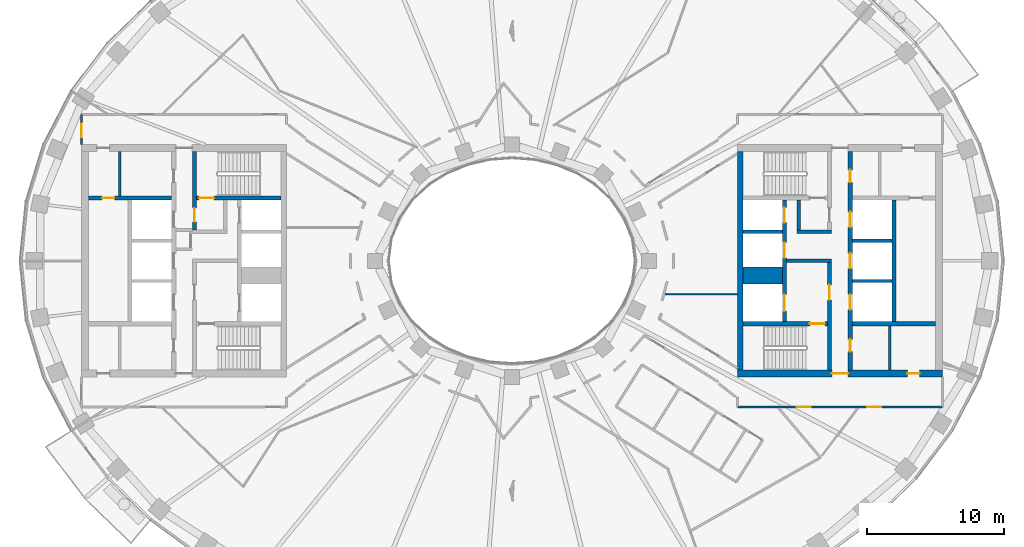
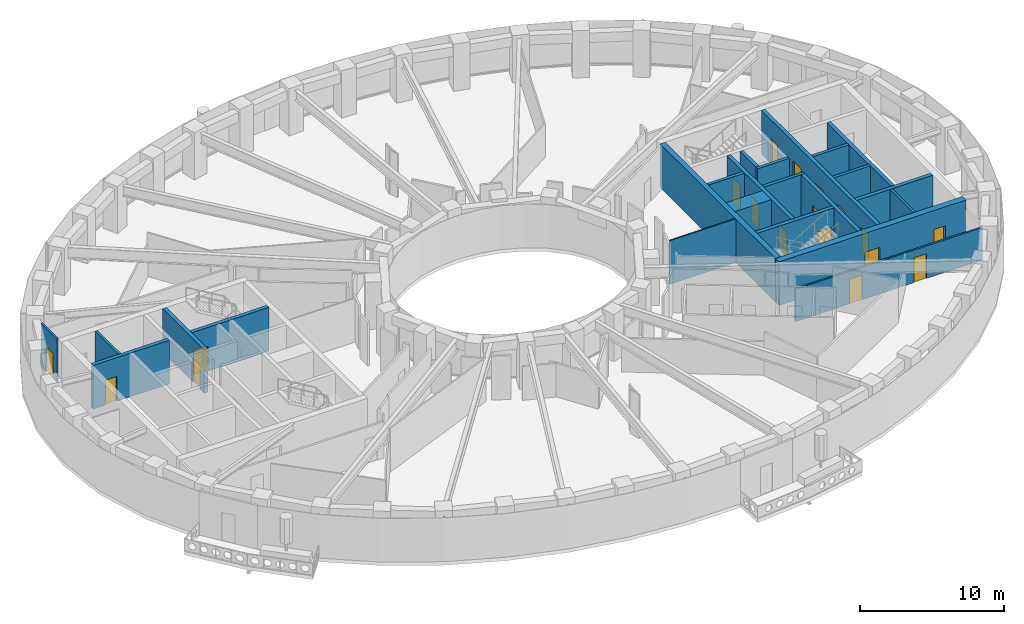
# One storey, part 5 of 16: 23 walls, 18 doors, 18 openings.
"""IFC4 building model written with IfcOpenShell, lengths in metres."""

from ifc_helpers import new_model, si_unit, direction, frame, frame_2d, origin, place, context, subcontext, project, spatial, rectangle, extrude, material, layer, layer_set, type_object, element, fill, save


model = new_model("IFC4")

# Units and contexts
model_context = context("Model", 3, precision=1e-05, world=origin(), true_north=direction((0.0, 1.0)))
body_context = subcontext(model_context, "Body", "Model", "MODEL_VIEW")
ifc_project = project(units=[si_unit("LENGTHUNIT", "METRE"), si_unit("AREAUNIT", "SQUARE_METRE"), si_unit("VOLUMEUNIT", "CUBIC_METRE"), si_unit("PLANEANGLEUNIT", "RADIAN"), si_unit("MASSUNIT", "GRAM", prefix="KILO")], contexts=[model_context])

# Site, building, storey
site_placement = place(None, origin())
site = spatial("IfcSite", under=ifc_project, at=site_placement, CompositionType="ELEMENT")
building_placement = place(site_placement, origin())
building = spatial("IfcBuilding", under=site, at=building_placement, Name="Noorbagh Ring Tower", CompositionType="ELEMENT")
storey_placement = place(building_placement, frame((0.0, 0.0, 162.0)))
storey = spatial("IfcBuildingStorey", under=building, at=storey_placement, Name="L37", CompositionType="ELEMENT", Elevation=162.0)

# Walls
ifc_material_1 = material(Name="Gypsum board on steel studs", Category="steel")
ifc_layer_1 = layer(ifc_material_1, 0.199951171875)
ifc_layer_set_1 = layer_set([ifc_layer_1], Name="Gypsum board on steel studs")
wall_type_1 = type_object("IfcWallType", Name="CORE-PARTITION-200", PredefinedType="PARTITIONING", material=ifc_layer_set_1)
for number, where, z_axis, x_axis, name in (
    (1, (-28.699951171875, 4.75, 0.0), (0.0, 0.0, 1.0), (0.0, 1.0, 0.0), "Core partition W"),
    (2, (27.64990234375, -8.0, 0.0), (0.0, 0.0, 1.0), (0.0, 1.0, 0.0), "Core partition E"),
):
    element("IfcWall", number, at=place(storey_placement, frame(where, z_axis=z_axis, x_axis=x_axis)), inside=storey, type_object=wall_type_1, Name=name, PredefinedType="PARTITIONING", context=body_context, shape_type="SweptSolid", body=[
        extrude(rectangle(XDim=3.25, YDim=0.199951171875, at=frame_2d((1.625, 0.0))), origin(), (0.0, 0.0, 1.0), 3.699951171875),
    ])
ifc_material_2 = material(Name="Concrete C60/75", Category="concrete")
ifc_layer_2 = layer(ifc_material_2, 1.25)
ifc_layer_set_2 = layer_set([ifc_layer_2], Name="Concrete C60/75")
wall_type_2 = type_object("IfcWallType", Name="CORE-WALL-1250-C60-75-EI120", PredefinedType="SHEAR", material=ifc_layer_set_2)
wall_1_placement = place(storey_placement, frame((16.89990234375, -1.074951171875, 0.0), z_axis=(0.0, 0.0, 1.0), x_axis=(1.0, 0.0, 0.0)))
element("IfcWall", 3, at=wall_1_placement, inside=storey, type_object=wall_type_2, Name="Core wall E", PredefinedType="SHEAR", context=body_context, shape_type="SweptSolid", body=[
    extrude(rectangle(XDim=2.900146484375, YDim=1.25, at=frame_2d((1.4501953125, 0.0))), origin(), (0.0, 0.0, 1.0), 3.699951171875),
])
ifc_material_3 = material(Name="Concrete C60/75", Category="concrete")
ifc_layer_3 = layer(ifc_material_3, 0.25)
ifc_layer_set_3 = layer_set([ifc_layer_3], Name="Concrete C60/75")
wall_type_3 = type_object("IfcWallType", Name="CORE-WALL-250-C60-75-EI120", PredefinedType="SHEAR", material=ifc_layer_set_3)
for number, where, z_axis, x_axis, name in (
    (4, (16.89990234375, 2.125, 0.0), (0.0, 0.0, 1.0), (1.0, 0.0, 0.0), "Core wall E"),
    (5, (24.89990234375, -1.47509765625, 0.0), (0.0, 0.0, 1.0), (1.0, 0.0, 0.0), "Core wall E"),
    (6, (24.89990234375, 1.47509765625, 0.0), (0.0, 0.0, 1.0), (1.0, 0.0, 0.0), "Core wall E"),
):
    element("IfcWall", number, at=place(storey_placement, frame(where, z_axis=z_axis, x_axis=x_axis)), inside=storey, type_object=wall_type_3, Name=name, PredefinedType="SHEAR", context=body_context, shape_type="SweptSolid", body=[
        extrude(rectangle(XDim=2.900146484375, YDim=0.25, at=frame_2d((1.4501953125, 0.0))), origin(), (0.0, 0.0, 1.0), 3.699951171875),
    ])
ifc_material_4 = material(Name="Concrete C60/75", Category="concrete")
ifc_layer_4 = layer(ifc_material_4, 0.25)
ifc_layer_set_4 = layer_set([ifc_layer_4], Name="Concrete C60/75")
wall_type_4 = type_object("IfcWallType", Name="CORE-WALL-250-C60-75-EI240", PredefinedType="SHEAR", material=ifc_layer_set_4)
wall_2_placement = place(storey_placement, frame((20.10009765625, 0.0, 0.0), z_axis=(0.0, 0.0, 1.0), x_axis=(1.0, 0.0, 0.0)))
element("IfcWall", 7, at=wall_2_placement, inside=storey, type_object=wall_type_4, Name="Core wall E", PredefinedType="SHEAR", context=body_context, shape_type="SweptSolid", body=[
    extrude(rectangle(XDim=3.27978515625, YDim=0.25, at=frame_2d((1.639892578125, 0.0))), origin(), (0.0, 0.0, 1.0), 3.699951171875),
])
wall_3_placement = place(storey_placement, frame((20.85009765625, 2.125, 0.0), z_axis=(0.0, 0.0, 1.0), x_axis=(1.0, 0.0, 0.0)))
element("IfcWall", 8, at=wall_3_placement, inside=storey, type_object=wall_type_4, Name="Core wall E", PredefinedType="SHEAR", context=body_context, shape_type="SweptSolid", body=[
    extrude(rectangle(XDim=2.52978515625, YDim=0.25, at=frame_2d((1.264892578125, 0.0))), origin(), (0.0, 0.0, 1.0), 3.699951171875),
])
wall_4_placement = place(storey_placement, frame((20.97509765625, 2.25, 0.0), z_axis=(0.0, 0.0, 1.0), x_axis=(0.0, 1.0, 0.0)))
element("IfcWall", 9, at=wall_4_placement, inside=storey, type_object=wall_type_4, Name="Core wall E", PredefinedType="SHEAR", context=body_context, shape_type="SweptSolid", body=[
    extrude(rectangle(XDim=2.199951171875, YDim=0.25, at=frame_2d((1.10009765625, 0.0))), origin(), (0.0, 0.0, 1.0), 3.699951171875),
])
ifc_material_5 = material(Name="Concrete C60/75", Category="concrete")
ifc_layer_5 = layer(ifc_material_5, 0.300048828125)
ifc_layer_set_5 = layer_set([ifc_layer_5], Name="Concrete C60/75")
wall_type_5 = type_object("IfcWallType", Name="CORE-WALL-300-C60-75-EI120", PredefinedType="SHEAR", material=ifc_layer_set_5)
wall_5_placement = place(storey_placement, frame((27.949951171875, -4.449951171875, 0.0), z_axis=(0.0, 0.0, 1.0), x_axis=(0.0, 1.0, 0.0)))
element("IfcWall", 10, at=wall_5_placement, inside=storey, type_object=wall_type_5, Name="Core wall E", PredefinedType="SHEAR", context=body_context, shape_type="SweptSolid", body=[
    extrude(rectangle(XDim=8.89990234375, YDim=0.300048828125, at=frame_2d((4.449951171875, 0.0))), origin(), (0.0, 0.0, 1.0), 3.699951171875),
])

# Wall, openings, doors
wall_6_placement = place(storey_placement, frame((19.949951171875, -4.449951171875, 0.0), z_axis=(0.0, 0.0, 1.0), x_axis=(0.0, 1.0, 0.0)))
wall_6 = element("IfcWall", 11, at=wall_6_placement, inside=storey, type_object=wall_type_5, Name="Core wall E", PredefinedType="SHEAR", context=body_context, shape_type="SweptSolid", body=[
    extrude(rectangle(XDim=8.89990234375, YDim=0.300048828125, at=frame_2d((4.449951171875, 0.0))), origin(), (0.0, 0.0, 1.0), 3.699951171875),
])
opening_1_placement = place(wall_6_placement, frame((0.77490234375, 0.0, 0.0)))
opening_1 = element("IfcOpeningElement", 12, at=opening_1_placement, cuts=wall_6, Name="Opening L37-CE01", PredefinedType="OPENING", context=body_context, shape_type="SweptSolid", body=[
    extrude(rectangle(XDim=1.199951171875, YDim=2.10009765625, at=frame_2d((0.60009765625, 1.050048828125))), frame((0.0, 0.16015625, 0.0), z_axis=(0.0, -1.0, 0.0), x_axis=(1.0, 0.0, 0.0)), (0.0, 0.0, 1.0), 0.320068359375),
])
opening_2_placement = place(wall_6_placement, frame((4.675048828125, 0.0, 0.0)))
opening_2 = element("IfcOpeningElement", 13, at=opening_2_placement, cuts=wall_6, Name="Opening L37-CE02", PredefinedType="OPENING", context=body_context, shape_type="SweptSolid", body=[
    extrude(rectangle(XDim=1.10009765625, YDim=2.10009765625, at=frame_2d((0.550048828125, 1.050048828125))), frame((0.0, 0.16015625, 0.0), z_axis=(0.0, -1.0, 0.0), x_axis=(1.0, 0.0, 0.0)), (0.0, 0.0, 1.0), 0.320068359375),
])
opening_3_placement = place(wall_6_placement, frame((7.25, 0.0, 0.0)))
opening_3 = element("IfcOpeningElement", 14, at=opening_3_placement, cuts=wall_6, Name="Opening L37-CE03", PredefinedType="OPENING", context=body_context, shape_type="SweptSolid", body=[
    extrude(rectangle(XDim=1.10009765625, YDim=2.10009765625, at=frame_2d((0.550048828125, 1.050048828125))), frame((0.0, 0.16015625, 0.0), z_axis=(0.0, -1.0, 0.0), x_axis=(1.0, 0.0, 0.0)), (0.0, 0.0, 1.0), 0.320068359375),
])
ifc_material_6 = material(Name="Steel door leaf", Category="steel")
door_type_1 = type_object("IfcDoorType", Name="CORE-DOOR-LD", OperationType="DOUBLE_DOOR_SLIDING", PredefinedType="DOOR", material=ifc_material_6)
door_1_placement = place(opening_2_placement, origin())
door_1 = element("IfcDoor", 15, at=door_1_placement, inside=storey, type_object=door_type_1, Name="Landing door HR7 L37-CE02", OperationType="DOUBLE_DOOR_SLIDING", OverallHeight=2.10009765625, OverallWidth=1.10009765625, PredefinedType="DOOR", context=body_context, shape_type="SweptSolid", body=[
    extrude(rectangle(XDim=1.10009765625, YDim=2.10009765625, at=frame_2d((0.550048828125, 1.050048828125))), frame((0.0, 0.02490234375, 0.0), z_axis=(0.0, -1.0, 0.0), x_axis=(1.0, 0.0, 0.0)), (0.0, 0.0, 1.0), 0.050048828125),
])
fill(opening_2, door_1)
door_2_placement = place(opening_3_placement, origin())
door_2 = element("IfcDoor", 16, at=door_2_placement, inside=storey, type_object=door_type_1, Name="Landing door HR8 L37-CE03", OperationType="DOUBLE_DOOR_SLIDING", OverallHeight=2.10009765625, OverallWidth=1.10009765625, PredefinedType="DOOR", context=body_context, shape_type="SweptSolid", body=[
    extrude(rectangle(XDim=1.10009765625, YDim=2.10009765625, at=frame_2d((0.550048828125, 1.050048828125))), frame((0.0, 0.02490234375, 0.0), z_axis=(0.0, -1.0, 0.0), x_axis=(1.0, 0.0, 0.0)), (0.0, 0.0, 1.0), 0.050048828125),
])
fill(opening_3, door_2)
ifc_material_7 = material(Name="Steel door leaf", Category="steel")
door_type_2 = type_object("IfcDoorType", Name="CORE-DOOR-LDW", OperationType="DOUBLE_DOOR_SLIDING", PredefinedType="DOOR", material=ifc_material_7)
door_3_placement = place(opening_1_placement, origin())
door_3 = element("IfcDoor", 17, at=door_3_placement, inside=storey, type_object=door_type_2, Name="Landing door FF2 L37-CE01", OperationType="DOUBLE_DOOR_SLIDING", OverallHeight=2.10009765625, OverallWidth=1.199951171875, PredefinedType="DOOR", context=body_context, shape_type="SweptSolid", body=[
    extrude(rectangle(XDim=1.199951171875, YDim=2.10009765625, at=frame_2d((0.60009765625, 1.050048828125))), frame((0.0, 0.02490234375, 0.0), z_axis=(0.0, -1.0, 0.0), x_axis=(1.0, 0.0, 0.0)), (0.0, 0.0, 1.0), 0.050048828125),
])
fill(opening_1, door_3)

wall_7_placement = place(storey_placement, frame((24.75, -8.0, 0.0), z_axis=(0.0, 0.0, 1.0), x_axis=(0.0, 1.0, 0.0)))
wall_7 = element("IfcWall", 18, at=wall_7_placement, inside=storey, type_object=wall_type_5, Name="Core wall E", PredefinedType="SHEAR", context=body_context, shape_type="SweptSolid", body=[
    extrude(rectangle(XDim=16.0, YDim=0.300048828125, at=frame_2d((8.0, 0.0))), origin(), (0.0, 0.0, 1.0), 3.699951171875),
])
opening_4_placement = place(wall_7_placement, frame((4.425048828125, 0.0, 0.0)))
opening_4 = element("IfcOpeningElement", 19, at=opening_4_placement, cuts=wall_7, Name="Opening L37-CE04", PredefinedType="OPENING", context=body_context, shape_type="SweptSolid", body=[
    extrude(rectangle(XDim=1.10009765625, YDim=2.10009765625, at=frame_2d((0.550048828125, 1.050048828125))), frame((0.0, 0.16015625, 0.0), z_axis=(0.0, -1.0, 0.0), x_axis=(1.0, 0.0, 0.0)), (0.0, 0.0, 1.0), 0.320068359375),
])
opening_5_placement = place(wall_7_placement, frame((7.449951171875, 0.0, 0.0)))
opening_5 = element("IfcOpeningElement", 20, at=opening_5_placement, cuts=wall_7, Name="Opening L37-CE05", PredefinedType="OPENING", context=body_context, shape_type="SweptSolid", body=[
    extrude(rectangle(XDim=1.10009765625, YDim=2.10009765625, at=frame_2d((0.550048828125, 1.050048828125))), frame((0.0, 0.16015625, 0.0), z_axis=(0.0, -1.0, 0.0), x_axis=(1.0, 0.0, 0.0)), (0.0, 0.0, 1.0), 0.320068359375),
])
opening_6_placement = place(wall_7_placement, frame((10.47509765625, 0.0, 0.0)))
opening_6 = element("IfcOpeningElement", 21, at=opening_6_placement, cuts=wall_7, Name="Opening L37-CE06", PredefinedType="OPENING", context=body_context, shape_type="SweptSolid", body=[
    extrude(rectangle(XDim=1.10009765625, YDim=2.10009765625, at=frame_2d((0.550048828125, 1.050048828125))), frame((0.0, 0.16015625, 0.0), z_axis=(0.0, -1.0, 0.0), x_axis=(1.0, 0.0, 0.0)), (0.0, 0.0, 1.0), 0.320068359375),
])
opening_7_placement = place(wall_7_placement, frame((13.75, 0.0, 0.0)))
opening_7 = element("IfcOpeningElement", 22, at=opening_7_placement, cuts=wall_7, Name="Opening L37-CE13", PredefinedType="OPENING", context=body_context, shape_type="SweptSolid", body=[
    extrude(rectangle(XDim=0.89990234375, YDim=2.10009765625, at=frame_2d((0.449951171875, 1.050048828125))), frame((0.0, 0.16015625, 0.0), z_axis=(0.0, -1.0, 0.0), x_axis=(1.0, 0.0, 0.0)), (0.0, 0.0, 1.0), 0.320068359375),
])
opening_8_placement = place(wall_7_placement, frame((1.35009765625, 0.0, 0.0)))
opening_8 = element("IfcOpeningElement", 23, at=opening_8_placement, cuts=wall_7, Name="Opening L37-CE15", PredefinedType="OPENING", context=body_context, shape_type="SweptSolid", body=[
    extrude(rectangle(XDim=0.89990234375, YDim=2.10009765625, at=frame_2d((0.449951171875, 1.050048828125))), frame((0.0, 0.16015625, 0.0), z_axis=(0.0, -1.0, 0.0), x_axis=(1.0, 0.0, 0.0)), (0.0, 0.0, 1.0), 0.320068359375),
])
ifc_material_8 = material(Name="Steel door leaf", Category="steel")
door_type_3 = type_object("IfcDoorType", Name="CORE-DOOR-DROOM", OperationType="SINGLE_SWING_LEFT", PredefinedType="DOOR", material=ifc_material_8)
door_4_placement = place(opening_7_placement, origin())
door_4 = element("IfcDoor", 24, at=door_4_placement, inside=storey, type_object=door_type_3, Name="Core room door L37-CE13", OperationType="SINGLE_SWING_LEFT", OverallHeight=2.10009765625, OverallWidth=0.89990234375, PredefinedType="DOOR", context=body_context, shape_type="SweptSolid", body=[
    extrude(rectangle(XDim=0.89990234375, YDim=2.10009765625, at=frame_2d((0.449951171875, 1.050048828125))), frame((0.0, 0.02490234375, 0.0), z_axis=(0.0, -1.0, 0.0), x_axis=(1.0, 0.0, 0.0)), (0.0, 0.0, 1.0), 0.050048828125),
])
fill(opening_7, door_4)
door_5_placement = place(opening_8_placement, origin())
door_5 = element("IfcDoor", 25, at=door_5_placement, inside=storey, type_object=door_type_3, Name="Core room door L37-CE15", OperationType="SINGLE_SWING_RIGHT", OverallHeight=2.10009765625, OverallWidth=0.89990234375, PredefinedType="DOOR", context=body_context, shape_type="SweptSolid", body=[
    extrude(rectangle(XDim=0.89990234375, YDim=2.10009765625, at=frame_2d((0.449951171875, 1.050048828125))), frame((0.0, 0.02490234375, 0.0), z_axis=(0.0, -1.0, 0.0), x_axis=(1.0, 0.0, 0.0)), (0.0, 0.0, 1.0), 0.050048828125),
])
fill(opening_8, door_5)
door_6_placement = place(opening_4_placement, origin())
door_6 = element("IfcDoor", 26, at=door_6_placement, inside=storey, type_object=door_type_1, Name="Landing door HR9 L37-CE04", OperationType="DOUBLE_DOOR_SLIDING", OverallHeight=2.10009765625, OverallWidth=1.10009765625, PredefinedType="DOOR", context=body_context, shape_type="SweptSolid", body=[
    extrude(rectangle(XDim=1.10009765625, YDim=2.10009765625, at=frame_2d((0.550048828125, 1.050048828125))), frame((0.0, 0.02490234375, 0.0), z_axis=(0.0, -1.0, 0.0), x_axis=(1.0, 0.0, 0.0)), (0.0, 0.0, 1.0), 0.050048828125),
])
fill(opening_4, door_6)
door_7_placement = place(opening_5_placement, origin())
door_7 = element("IfcDoor", 27, at=door_7_placement, inside=storey, type_object=door_type_1, Name="Landing door HR10 L37-CE05", OperationType="DOUBLE_DOOR_SLIDING", OverallHeight=2.10009765625, OverallWidth=1.10009765625, PredefinedType="DOOR", context=body_context, shape_type="SweptSolid", body=[
    extrude(rectangle(XDim=1.10009765625, YDim=2.10009765625, at=frame_2d((0.550048828125, 1.050048828125))), frame((0.0, 0.02490234375, 0.0), z_axis=(0.0, -1.0, 0.0), x_axis=(1.0, 0.0, 0.0)), (0.0, 0.0, 1.0), 0.050048828125),
])
fill(opening_5, door_7)
door_8_placement = place(opening_6_placement, origin())
door_8 = element("IfcDoor", 28, at=door_8_placement, inside=storey, type_object=door_type_1, Name="Landing door HR11 L37-CE06", OperationType="DOUBLE_DOOR_SLIDING", OverallHeight=2.10009765625, OverallWidth=1.10009765625, PredefinedType="DOOR", context=body_context, shape_type="SweptSolid", body=[
    extrude(rectangle(XDim=1.10009765625, YDim=2.10009765625, at=frame_2d((0.550048828125, 1.050048828125))), frame((0.0, 0.02490234375, 0.0), z_axis=(0.0, -1.0, 0.0), x_axis=(1.0, 0.0, 0.0)), (0.0, 0.0, 1.0), 0.050048828125),
])
fill(opening_6, door_8)

# Wall, opening, door
ifc_material_9 = material(Name="Concrete C60/75", Category="concrete")
ifc_layer_6 = layer(ifc_material_9, 0.300048828125)
ifc_layer_set_6 = layer_set([ifc_layer_6], Name="Concrete C60/75")
wall_type_6 = type_object("IfcWallType", Name="CORE-WALL-300-C60-75-EI240", PredefinedType="SHEAR", material=ifc_layer_set_6)
wall_8_placement = place(storey_placement, frame((-24.89990234375, 4.60009765625, 0.0), z_axis=(0.0, 0.0, 1.0), x_axis=(-1.0, 0.0, 0.0)))
wall_8 = element("IfcWall", 29, at=wall_8_placement, inside=storey, type_object=wall_type_6, Name="Core wall W", PredefinedType="SHEAR", context=body_context, shape_type="SweptSolid", body=[
    extrude(rectangle(XDim=6.10009765625, YDim=0.300048828125, at=frame_2d((3.050048828125, 0.0))), origin(), (0.0, 0.0, 1.0), 3.699951171875),
])
opening_9_placement = place(wall_8_placement, frame((4.199951171875, 0.0, 0.0)))
opening_9 = element("IfcOpeningElement", 30, at=opening_9_placement, cuts=wall_8, Name="Opening L37-CW17", PredefinedType="OPENING", context=body_context, shape_type="SweptSolid", body=[
    extrude(rectangle(XDim=0.89990234375, YDim=2.10009765625, at=frame_2d((0.449951171875, 1.050048828125))), frame((0.0, 0.16015625, 0.0), z_axis=(0.0, -1.0, 0.0), x_axis=(1.0, 0.0, 0.0)), (0.0, 0.0, 1.0), 0.320068359375),
])
door_9_placement = place(opening_9_placement, origin())
door_9 = element("IfcDoor", 31, at=door_9_placement, inside=storey, type_object=door_type_3, Name="Core room door L37-CW17", OperationType="SINGLE_SWING_LEFT", OverallHeight=2.10009765625, OverallWidth=0.89990234375, PredefinedType="DOOR", context=body_context, shape_type="SweptSolid", body=[
    extrude(rectangle(XDim=0.89990234375, YDim=2.10009765625, at=frame_2d((0.449951171875, 1.050048828125))), frame((0.0, 0.02490234375, 0.0), z_axis=(0.0, -1.0, 0.0), x_axis=(1.0, 0.0, 0.0)), (0.0, 0.0, 1.0), 0.050048828125),
])
fill(opening_9, door_9)

wall_9_placement = place(storey_placement, frame((-23.22998046875, 2.25, 0.0), z_axis=(0.0, 0.0, 1.0), x_axis=(0.0, 1.0, 0.0)))
wall_9 = element("IfcWall", 32, at=wall_9_placement, inside=storey, type_object=wall_type_6, Name="Core wall W", PredefinedType="SHEAR", context=body_context, shape_type="SweptSolid", body=[
    extrude(rectangle(XDim=5.75, YDim=0.300048828125, at=frame_2d((2.875, 0.0))), origin(), (0.0, 0.0, 1.0), 3.699951171875),
])
opening_10_placement = place(wall_9_placement, frame((0.60009765625, 0.0, 0.0)))
opening_10 = element("IfcOpeningElement", 33, at=opening_10_placement, cuts=wall_9, Name="Opening L37-CW09", PredefinedType="OPENING", context=body_context, shape_type="SweptSolid", body=[
    extrude(rectangle(XDim=1.0, YDim=2.10009765625, at=frame_2d((0.5, 1.050048828125))), frame((0.0, 0.16015625, 0.0), z_axis=(0.0, -1.0, 0.0), x_axis=(1.0, 0.0, 0.0)), (0.0, 0.0, 1.0), 0.320068359375),
])
ifc_material_10 = material(Name="Steel door leaf", Category="steel")
door_type_4 = type_object("IfcDoorType", Name="CORE-DOOR-DVEST", OperationType="SINGLE_SWING_LEFT", PredefinedType="DOOR", material=ifc_material_10)
door_10_placement = place(opening_10_placement, origin())
door_10 = element("IfcDoor", 34, at=door_10_placement, inside=storey, type_object=door_type_4, Name="Stair vestibule door L37-CW09", OperationType="SINGLE_SWING_LEFT", OverallHeight=2.10009765625, OverallWidth=1.0, PredefinedType="DOOR", context=body_context, shape_type="SweptSolid", body=[
    extrude(rectangle(XDim=1.0, YDim=2.10009765625, at=frame_2d((0.5, 1.050048828125))), frame((0.0, 0.02490234375, 0.0), z_axis=(0.0, -1.0, 0.0), x_axis=(1.0, 0.0, 0.0)), (0.0, 0.0, 1.0), 0.050048828125),
])
fill(opening_10, door_10)

wall_10_placement = place(storey_placement, frame((-16.89990234375, 4.60009765625, 0.0), z_axis=(0.0, 0.0, 1.0), x_axis=(-1.0, 0.0, 0.0)))
wall_10 = element("IfcWall", 35, at=wall_10_placement, inside=storey, type_object=wall_type_6, Name="Core wall W", PredefinedType="SHEAR", context=body_context, shape_type="SweptSolid", body=[
    extrude(rectangle(XDim=6.18017578125, YDim=0.300048828125, at=frame_2d((3.090087890625, 0.0))), origin(), (0.0, 0.0, 1.0), 3.699951171875),
])
opening_11_placement = place(wall_10_placement, frame((4.89990234375, 0.0, 0.0)))
opening_11 = element("IfcOpeningElement", 36, at=opening_11_placement, cuts=wall_10, Name="Opening L37-CW06", PredefinedType="OPENING", context=body_context, shape_type="SweptSolid", body=[
    extrude(rectangle(XDim=1.10009765625, YDim=2.10009765625, at=frame_2d((0.550048828125, 1.050048828125))), frame((0.0, 0.16015625, 0.0), z_axis=(0.0, -1.0, 0.0), x_axis=(1.0, 0.0, 0.0)), (0.0, 0.0, 1.0), 0.320068359375),
])
ifc_material_11 = material(Name="Steel door leaf", Category="steel")
door_type_5 = type_object("IfcDoorType", Name="CORE-DOOR-DSTAIR", OperationType="SINGLE_SWING_LEFT", PredefinedType="DOOR", material=ifc_material_11)
door_11_placement = place(opening_11_placement, origin())
door_11 = element("IfcDoor", 37, at=door_11_placement, inside=storey, type_object=door_type_5, Name="Stair door ST1 L37-CW06", OperationType="SINGLE_SWING_RIGHT", OverallHeight=2.10009765625, OverallWidth=1.10009765625, PredefinedType="DOOR", context=body_context, shape_type="SweptSolid", body=[
    extrude(rectangle(XDim=1.10009765625, YDim=2.10009765625, at=frame_2d((0.550048828125, 1.050048828125))), frame((0.0, 0.02490234375, 0.0), z_axis=(0.0, -1.0, 0.0), x_axis=(1.0, 0.0, 0.0)), (0.0, 0.0, 1.0), 0.050048828125),
])
fill(opening_11, door_11)

# Wall
wall_11_placement = place(storey_placement, frame((24.89990234375, -4.60009765625, 0.0), z_axis=(0.0, 0.0, 1.0), x_axis=(1.0, 0.0, 0.0)))
element("IfcWall", 38, at=wall_11_placement, inside=storey, type_object=wall_type_6, Name="Core wall E", PredefinedType="SHEAR", context=body_context, shape_type="SweptSolid", body=[
    extrude(rectangle(XDim=6.10009765625, YDim=0.300048828125, at=frame_2d((3.050048828125, 0.0))), origin(), (0.0, 0.0, 1.0), 3.699951171875),
])

# Wall, opening, door
wall_12_placement = place(storey_placement, frame((23.22998046875, -8.0, 0.0), z_axis=(0.0, 0.0, 1.0), x_axis=(0.0, 1.0, 0.0)))
wall_12 = element("IfcWall", 39, at=wall_12_placement, inside=storey, type_object=wall_type_6, Name="Core wall E", PredefinedType="SHEAR", context=body_context, shape_type="SweptSolid", body=[
    extrude(rectangle(XDim=7.875, YDim=0.300048828125, at=frame_2d((3.9375, 0.0))), origin(), (0.0, 0.0, 1.0), 3.699951171875),
])
opening_12_placement = place(wall_12_placement, frame((5.14990234375, 0.0, 0.0)))
opening_12 = element("IfcOpeningElement", 40, at=opening_12_placement, cuts=wall_12, Name="Opening L37-CE09", PredefinedType="OPENING", context=body_context, shape_type="SweptSolid", body=[
    extrude(rectangle(XDim=1.10009765625, YDim=2.10009765625, at=frame_2d((0.550048828125, 1.050048828125))), frame((0.0, 0.16015625, 0.0), z_axis=(0.0, -1.0, 0.0), x_axis=(1.0, 0.0, 0.0)), (0.0, 0.0, 1.0), 0.320068359375),
])
ifc_material_12 = material(Name="Steel door leaf", Category="steel")
door_type_6 = type_object("IfcDoorType", Name="CORE-DOOR-DFF", OperationType="SINGLE_SWING_LEFT", PredefinedType="DOOR", material=ifc_material_12)
door_12_placement = place(opening_12_placement, origin())
door_12 = element("IfcDoor", 41, at=door_12_placement, inside=storey, type_object=door_type_6, Name="Firefighting lobby door L37-CE09", OperationType="SINGLE_SWING_RIGHT", OverallHeight=2.10009765625, OverallWidth=1.10009765625, PredefinedType="DOOR", context=body_context, shape_type="SweptSolid", body=[
    extrude(rectangle(XDim=1.10009765625, YDim=2.10009765625, at=frame_2d((0.550048828125, 1.050048828125))), frame((0.0, 0.02490234375, 0.0), z_axis=(0.0, -1.0, 0.0), x_axis=(1.0, 0.0, 0.0)), (0.0, 0.0, 1.0), 0.050048828125),
])
fill(opening_12, door_12)

wall_13_placement = place(storey_placement, frame((16.89990234375, -4.60009765625, 0.0), z_axis=(0.0, 0.0, 1.0), x_axis=(1.0, 0.0, 0.0)))
wall_13 = element("IfcWall", 42, at=wall_13_placement, inside=storey, type_object=wall_type_6, Name="Core wall E", PredefinedType="SHEAR", context=body_context, shape_type="SweptSolid", body=[
    extrude(rectangle(XDim=6.18017578125, YDim=0.300048828125, at=frame_2d((3.090087890625, 0.0))), origin(), (0.0, 0.0, 1.0), 3.699951171875),
])
opening_13_placement = place(wall_13_placement, frame((4.89990234375, 0.0, 0.0)))
opening_13 = element("IfcOpeningElement", 43, at=opening_13_placement, cuts=wall_13, Name="Opening L37-CE08", PredefinedType="OPENING", context=body_context, shape_type="SweptSolid", body=[
    extrude(rectangle(XDim=1.10009765625, YDim=2.10009765625, at=frame_2d((0.550048828125, 1.050048828125))), frame((0.0, 0.16015625, 0.0), z_axis=(0.0, -1.0, 0.0), x_axis=(1.0, 0.0, 0.0)), (0.0, 0.0, 1.0), 0.320068359375),
])
door_13_placement = place(opening_13_placement, origin())
door_13 = element("IfcDoor", 44, at=door_13_placement, inside=storey, type_object=door_type_5, Name="Stair door ST4 L37-CE08", OperationType="SINGLE_SWING_RIGHT", OverallHeight=2.10009765625, OverallWidth=1.10009765625, PredefinedType="DOOR", context=body_context, shape_type="SweptSolid", body=[
    extrude(rectangle(XDim=1.10009765625, YDim=2.10009765625, at=frame_2d((0.550048828125, 1.050048828125))), frame((0.0, 0.02490234375, 0.0), z_axis=(0.0, -1.0, 0.0), x_axis=(1.0, 0.0, 0.0)), (0.0, 0.0, 1.0), 0.050048828125),
])
fill(opening_13, door_13)

# Wall
ifc_material_13 = material(Name="Concrete C60/75", Category="concrete")
ifc_layer_7 = layer(ifc_material_13, 0.39990234375)
ifc_layer_set_7 = layer_set([ifc_layer_7], Name="Concrete C60/75")
wall_type_7 = type_object("IfcWallType", Name="CORE-WALL-400-C60-75-EI240", PredefinedType="SHEAR", material=ifc_layer_set_7)
wall_14_placement = place(storey_placement, frame((16.699951171875, -8.0, 0.0), z_axis=(0.0, 0.0, 1.0), x_axis=(0.0, 1.0, 0.0)))
element("IfcWall", 45, at=wall_14_placement, inside=storey, type_object=wall_type_7, Name="Core wall E", PredefinedType="SHEAR", context=body_context, shape_type="SweptSolid", body=[
    extrude(rectangle(XDim=16.0, YDim=0.39990234375, at=frame_2d((8.0, 0.0))), origin(), (0.0, 0.0, 1.0), 3.699951171875),
])

# Wall, openings, doors
ifc_material_14 = material(Name="Concrete C60/75", Category="concrete")
ifc_layer_8 = layer(ifc_material_14, 0.5)
ifc_layer_set_8 = layer_set([ifc_layer_8], Name="Concrete C60/75")
wall_type_8 = type_object("IfcWallType", Name="CORE-WALL-500-C60-75-EI240", PredefinedType="SHEAR", material=ifc_layer_set_8)
wall_15_placement = place(storey_placement, frame((16.5, -8.25, 0.0), z_axis=(0.0, 0.0, 1.0), x_axis=(1.0, 0.0, 0.0)))
wall_15 = element("IfcWall", 46, at=wall_15_placement, inside=storey, type_object=wall_type_8, Name="Core wall E", PredefinedType="SHEAR", context=body_context, shape_type="SweptSolid", body=[
    extrude(rectangle(XDim=15.0, YDim=0.5, at=frame_2d((7.5, 0.0))), origin(), (0.0, 0.0, 1.0), 3.699951171875),
])
opening_14_placement = place(wall_15_placement, frame((6.89990234375, 0.0, 0.0)))
opening_14 = element("IfcOpeningElement", 47, at=opening_14_placement, cuts=wall_15, Name="Opening L37-CE12", PredefinedType="OPENING", context=body_context, shape_type="SweptSolid", body=[
    extrude(rectangle(XDim=1.199951171875, YDim=2.10009765625, at=frame_2d((0.60009765625, 1.050048828125))), frame((0.0, 0.260009765625, 0.0), z_axis=(0.0, -1.0, 0.0), x_axis=(1.0, 0.0, 0.0)), (0.0, 0.0, 1.0), 0.52001953125),
])
opening_15_placement = place(wall_15_placement, frame((12.425048828125, 0.0, 0.0)))
opening_15 = element("IfcOpeningElement", 48, at=opening_15_placement, cuts=wall_15, Name="Opening L37-CE16", PredefinedType="OPENING", context=body_context, shape_type="SweptSolid", body=[
    extrude(rectangle(XDim=0.89990234375, YDim=2.10009765625, at=frame_2d((0.449951171875, 1.050048828125))), frame((0.0, 0.260009765625, 0.0), z_axis=(0.0, -1.0, 0.0), x_axis=(1.0, 0.0, 0.0)), (0.0, 0.0, 1.0), 0.52001953125),
])
door_14_placement = place(opening_15_placement, origin())
door_14 = element("IfcDoor", 49, at=door_14_placement, inside=storey, type_object=door_type_3, Name="Core room door L37-CE16", OperationType="SINGLE_SWING_RIGHT", OverallHeight=2.10009765625, OverallWidth=0.89990234375, PredefinedType="DOOR", context=body_context, shape_type="SweptSolid", body=[
    extrude(rectangle(XDim=0.89990234375, YDim=2.10009765625, at=frame_2d((0.449951171875, 1.050048828125))), frame((0.0, 0.02490234375, 0.0), z_axis=(0.0, -1.0, 0.0), x_axis=(1.0, 0.0, 0.0)), (0.0, 0.0, 1.0), 0.050048828125),
])
fill(opening_15, door_14)
ifc_material_15 = material(Name="Steel door leaf", Category="steel")
door_type_7 = type_object("IfcDoorType", Name="CORE-DOOR-PORT", OperationType="DOUBLE_DOOR_DOUBLE_SWING", PredefinedType="DOOR", material=ifc_material_15)
door_15_placement = place(opening_14_placement, origin())
door_15 = element("IfcDoor", 50, at=door_15_placement, inside=storey, type_object=door_type_7, Name="Core entrance door L37-CE12", OperationType="DOUBLE_DOOR_DOUBLE_SWING", OverallHeight=2.10009765625, OverallWidth=1.199951171875, PredefinedType="DOOR", context=body_context, shape_type="SweptSolid", body=[
    extrude(rectangle(XDim=1.199951171875, YDim=2.10009765625, at=frame_2d((0.60009765625, 1.050048828125))), frame((0.0, 0.02490234375, 0.0), z_axis=(0.0, -1.0, 0.0), x_axis=(1.0, 0.0, 0.0)), (0.0, 0.0, 1.0), 0.050048828125),
])
fill(opening_14, door_15)

# Wall, opening, door
ifc_material_16 = material(Name="Gypsum board on steel studs", Category="steel")
ifc_layer_9 = layer(ifc_material_16, 0.14990234375)
ifc_layer_set_9 = layer_set([ifc_layer_9], Name="Gypsum board on steel studs")
wall_type_9 = type_object("IfcWallType", Name="CORRIDOR PARTITION 150 EI 30", PredefinedType="PARTITIONING", material=ifc_layer_set_9)
wall_16_placement = place(storey_placement, frame((-31.5, 8.5, 0.0), z_axis=(0.0, 0.0, 1.0), x_axis=(0.0, 1.0, 0.0)))
wall_16 = element("IfcWall", 51, at=wall_16_placement, inside=storey, type_object=wall_type_9, Name="L37/wall/P06", PredefinedType="PARTITIONING", context=body_context, shape_type="SweptSolid", body=[
    extrude(rectangle(XDim=2.199951171875, YDim=0.14990234375, at=frame_2d((1.10009765625, 0.0))), origin(), (0.0, 0.0, 1.0), 3.699951171875),
])
opening_16_placement = place(wall_16_placement, frame((0.550048828125, 0.0, 0.0)))
opening_16 = element("IfcOpeningElement", 52, at=opening_16_placement, cuts=wall_16, Name="Opening D1", PredefinedType="OPENING", context=body_context, shape_type="SweptSolid", body=[
    extrude(rectangle(XDim=1.0, YDim=2.10009765625, at=frame_2d((0.5, 1.050048828125))), frame((0.0, 0.0849609375, 0.0), z_axis=(0.0, -1.0, 0.0), x_axis=(1.0, 0.0, 0.0)), (0.0, 0.0, 1.0), 0.169921875),
])
ifc_material_17 = material(Name="Timber, painted", Category="wood")
door_type_8 = type_object("IfcDoorType", Name="DOOR 1000 X 2100 FD30", OperationType="SINGLE_SWING_LEFT", PredefinedType="DOOR", material=ifc_material_17)
door_16_placement = place(opening_16_placement, origin())
door_16 = element("IfcDoor", 53, at=door_16_placement, inside=storey, type_object=door_type_8, Name="L37-D07", OperationType="SINGLE_SWING_LEFT", OverallHeight=2.10009765625, OverallWidth=1.0, PredefinedType="DOOR", context=body_context, shape_type="SweptSolid", body=[
    extrude(rectangle(XDim=1.0, YDim=2.10009765625, at=frame_2d((0.5, 1.050048828125))), frame((0.0, 0.02490234375, 0.0), z_axis=(0.0, -1.0, 0.0), x_axis=(1.0, 0.0, 0.0)), (0.0, 0.0, 1.0), 0.050048828125),
])
fill(opening_16, door_16)

# Wall, openings, doors
wall_17_placement = place(storey_placement, frame((16.5, -10.699951171875, 0.0), z_axis=(0.0, 0.0, 1.0), x_axis=(1.0, 0.0, 0.0)))
wall_17 = element("IfcWall", 54, at=wall_17_placement, inside=storey, type_object=wall_type_9, Name="L37/wall/P80", PredefinedType="PARTITIONING", context=body_context, shape_type="SweptSolid", body=[
    extrude(rectangle(XDim=15.0, YDim=0.14990234375, at=frame_2d((7.5, 0.0))), origin(), (0.0, 0.0, 1.0), 2.75),
])
opening_17_placement = place(wall_17_placement, frame((4.344970703125, 0.0, 0.0)))
opening_17 = element("IfcOpeningElement", 55, at=opening_17_placement, cuts=wall_17, Name="Opening D1", PredefinedType="OPENING", context=body_context, shape_type="SweptSolid", body=[
    extrude(rectangle(XDim=1.0, YDim=2.10009765625, at=frame_2d((0.5, 1.050048828125))), frame((0.0, 0.0849609375, 0.0), z_axis=(0.0, -1.0, 0.0), x_axis=(1.0, 0.0, 0.0)), (0.0, 0.0, 1.0), 0.169921875),
])
opening_18_placement = place(wall_17_placement, frame((9.5048828125, 0.0, 0.0)))
opening_18 = element("IfcOpeningElement", 56, at=opening_18_placement, cuts=wall_17, Name="Opening D1", PredefinedType="OPENING", context=body_context, shape_type="SweptSolid", body=[
    extrude(rectangle(XDim=1.0, YDim=2.10009765625, at=frame_2d((0.5, 1.050048828125))), frame((0.0, 0.0849609375, 0.0), z_axis=(0.0, -1.0, 0.0), x_axis=(1.0, 0.0, 0.0)), (0.0, 0.0, 1.0), 0.169921875),
])
door_17_placement = place(opening_17_placement, origin())
door_17 = element("IfcDoor", 57, at=door_17_placement, inside=storey, type_object=door_type_8, Name="L37-D13", OperationType="SINGLE_SWING_LEFT", OverallHeight=2.10009765625, OverallWidth=1.0, PredefinedType="DOOR", context=body_context, shape_type="SweptSolid", body=[
    extrude(rectangle(XDim=1.0, YDim=2.10009765625, at=frame_2d((0.5, 1.050048828125))), frame((0.0, 0.02490234375, 0.0), z_axis=(0.0, -1.0, 0.0), x_axis=(1.0, 0.0, 0.0)), (0.0, 0.0, 1.0), 0.050048828125),
])
fill(opening_17, door_17)
door_18_placement = place(opening_18_placement, origin())
door_18 = element("IfcDoor", 58, at=door_18_placement, inside=storey, type_object=door_type_8, Name="L37-D15", OperationType="SINGLE_SWING_LEFT", OverallHeight=2.10009765625, OverallWidth=1.0, PredefinedType="DOOR", context=body_context, shape_type="SweptSolid", body=[
    extrude(rectangle(XDim=1.0, YDim=2.10009765625, at=frame_2d((0.5, 1.050048828125))), frame((0.0, 0.02490234375, 0.0), z_axis=(0.0, -1.0, 0.0), x_axis=(1.0, 0.0, 0.0)), (0.0, 0.0, 1.0), 0.050048828125),
])
fill(opening_18, door_18)

# Wall
ifc_material_18 = material(Name="Gypsum board on steel studs", Category="steel")
ifc_layer_10 = layer(ifc_material_18, 0.10009765625)
ifc_layer_set_10 = layer_set([ifc_layer_10], Name="Gypsum board on steel studs")
wall_type_10 = type_object("IfcWallType", Name="PARTITION 100 GYPSUM", PredefinedType="PARTITIONING", material=ifc_layer_set_10)
wall_18_placement = place(storey_placement, frame((11.193115234375, -2.43994140625, 0.0), z_axis=(0.0, 0.0, 1.0), x_axis=(1.0, 0.0, 0.0)))
element("IfcWall", 59, at=wall_18_placement, inside=storey, type_object=wall_type_10, Name="L37/wall/P70", PredefinedType="PARTITIONING", context=body_context, shape_type="SweptSolid", body=[
    extrude(rectangle(XDim=5.306884765625, YDim=0.10009765625, at=frame_2d((2.6533203125, 0.0))), origin(), (0.0, 0.0, 1.0), 3.699951171875),
])

save(model, "model.ifc")
